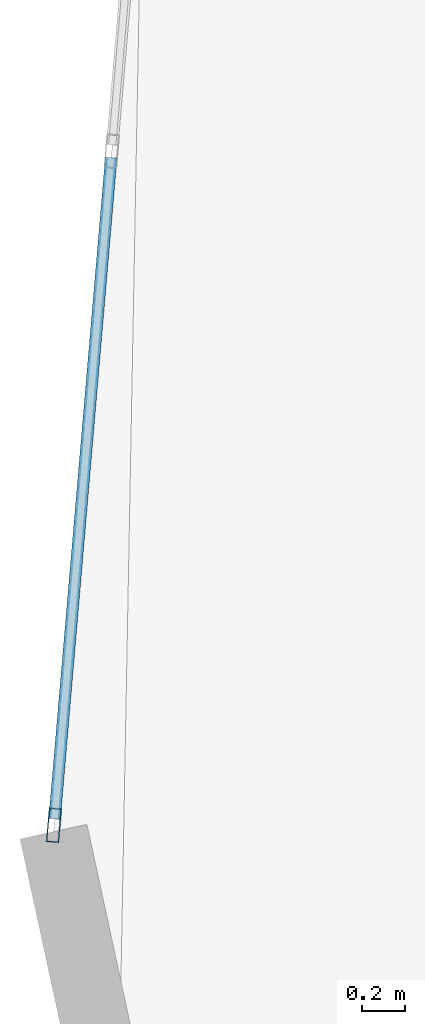
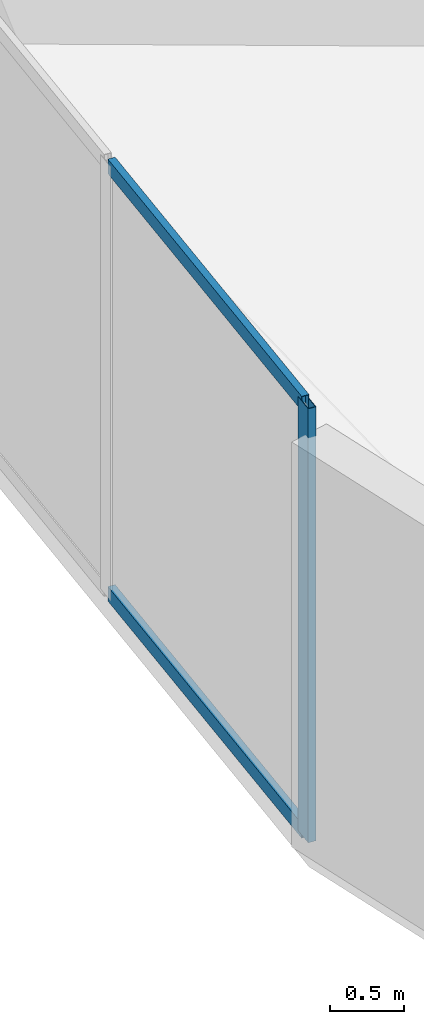
# One storey, part 7 of 23: 3 members, 1 element without a shape of its own.
"""IFC4 building model written with IfcOpenShell, lengths in metres."""

from ifc_helpers import new_model, si_unit, direction, frame, origin, origin_2d, place, context, subcontext, project, spatial, hollow_rectangle, extrude, source, transform, mapped, material, layer, layer_set, material_profile, profile_set, type_object, element, aggregate, save


model = new_model("IFC4")

# Units and contexts
model_context = context("Model", 3, precision=1e-05, world=origin(), true_north=direction((0.0, 1.0)))
body_context = subcontext(model_context, "Body", "Model", "MODEL_VIEW")
ifc_project = project(units=[si_unit("LENGTHUNIT", "METRE"), si_unit("AREAUNIT", "SQUARE_METRE"), si_unit("VOLUMEUNIT", "CUBIC_METRE"), si_unit("PLANEANGLEUNIT", "RADIAN"), si_unit("MASSUNIT", "GRAM", prefix="KILO")], contexts=[model_context])

# Site, building, storey
site_placement = place(None, origin())
site = spatial("IfcSite", under=ifc_project, at=site_placement, CompositionType="ELEMENT")
building_placement = place(site_placement, origin())
building = spatial("IfcBuilding", under=site, at=building_placement, Name="Solvirekh Grand Hotel", CompositionType="ELEMENT")
storey_placement = place(building_placement, frame((0.0, 0.0, 176.800048828125)))
storey = spatial("IfcBuildingStorey", under=building, at=storey_placement, Name="L45", CompositionType="ELEMENT", Elevation=176.800048828125)

# Curtain wall, members
ifc_material = material(Name="Anodized Bronze Aluminium 6063-T6", Category="aluminium")
ifc_layer = layer(ifc_material, 0.159912109375)
ifc_layer_set = layer_set([ifc_layer], Name="Anodized Bronze Aluminium 6063-T6")
curtain_wall_type = type_object("IfcCurtainWallType", Name="CW_Sys4_HighZoneFlushBronzeCW", PredefinedType="NOTDEFINED", material=ifc_layer_set)
curtain_wall_placement = place(storey_placement, origin())
curtain_wall = element("IfcCurtainWall", 1, at=curtain_wall_placement, inside=storey, type_object=curtain_wall_type, Name="L45 unitised bronze-glass curtain wall CW-L45-C13", PredefinedType="NOTDEFINED")
ifc_material_profile_1 = material_profile(ifc_material, hollow_rectangle(XDim=0.054931640625, YDim=0.1201171875, WallThickness=0.00390625, at=origin_2d()), Name="ALU RHS 120X55X4")
ifc_profile_set_1 = profile_set([ifc_material_profile_1], Name="Anodized Bronze Aluminium 6063-T6")
member_type_1 = type_object("IfcMemberType", Name="CWTransom_Sys4", PredefinedType="USERDEFINED", material=ifc_profile_set_1)
shared_shape_1 = source(origin(), body_context, "Body", "SweptSolid", [
    extrude(hollow_rectangle(XDim=0.054931640625, YDim=0.1201171875, WallThickness=0.00390625, at=origin_2d()), origin(), (0.0, 0.0, 1.0), 3.104736328125),
])
member_1_placement = place(storey_placement, frame((-20.8349609375, 4.377197265625, 0.02734375), z_axis=(-0.085316391133, -0.996353909715, 0.0), x_axis=(0.996353909715, -0.085316391133, 0.0)))
member_1 = element("IfcMember", 2, at=member_1_placement, type_object=member_type_1, Name="U04 transom 2.1", ObjectType="TRANSOM", PredefinedType="USERDEFINED", context=body_context, shape_type="MappedRepresentation", body=[
    mapped(shared_shape_1, transform((0.0, 0.0, 0.0), x_axis=(1.0, 0.0, 0.0), y_axis=(0.0, 1.0, 0.0), z_axis=(0.0, 0.0, 1.0), scale=1.0)),
])
member_2_placement = place(storey_placement, frame((-20.8349609375, 4.377197265625, 3.572509765625), z_axis=(-0.085316391133, -0.996353909715, 0.0), x_axis=(0.996353909715, -0.085316391133, 0.0)))
member_2 = element("IfcMember", 3, at=member_2_placement, type_object=member_type_1, Name="U04 transom 2.2", ObjectType="TRANSOM", PredefinedType="USERDEFINED", context=body_context, shape_type="MappedRepresentation", body=[
    mapped(shared_shape_1, transform((0.0, 0.0, 0.0), x_axis=(1.0, 0.0, 0.0), y_axis=(0.0, 1.0, 0.0), z_axis=(0.0, 0.0, 1.0), scale=1.0)),
])
ifc_material_profile_2 = material_profile(ifc_material, hollow_rectangle(XDim=0.06005859375, YDim=0.159912109375, WallThickness=0.0048828125, at=origin_2d()), Name="ALU RHS 160X60X5")
ifc_profile_set_2 = profile_set([ifc_material_profile_2], Name="Anodized Bronze Aluminium 6063-T6")
member_type_2 = type_object("IfcMemberType", Name="CWMullion_Sys4", PredefinedType="MULLION", material=ifc_profile_set_2)
shared_shape_2 = source(origin(), body_context, "Body", "SweptSolid", [
    extrude(hollow_rectangle(XDim=0.06005859375, YDim=0.159912109375, WallThickness=0.0048828125, at=origin_2d()), origin(), (0.0, 0.0, 1.0), 3.599853515625),
])
member_3_placement = place(storey_placement, frame((-21.1025390625, 1.25390625, 0.0), z_axis=(0.0, 0.0, 1.0), x_axis=(0.996355395292, -0.085299040279, 0.0)))
member_3 = element("IfcMember", 4, at=member_3_placement, type_object=member_type_2, Name="U04 mullion 3", PredefinedType="MULLION", context=body_context, shape_type="MappedRepresentation", body=[
    mapped(shared_shape_2, transform((0.0, 0.0, 0.0), x_axis=(1.0, 0.0, 0.0), y_axis=(0.0, 1.0, 0.0), z_axis=(0.0, 0.0, 1.0), scale=1.0)),
])
aggregate(curtain_wall, [member_3, member_1, member_2])

save(model, "model.ifc")
